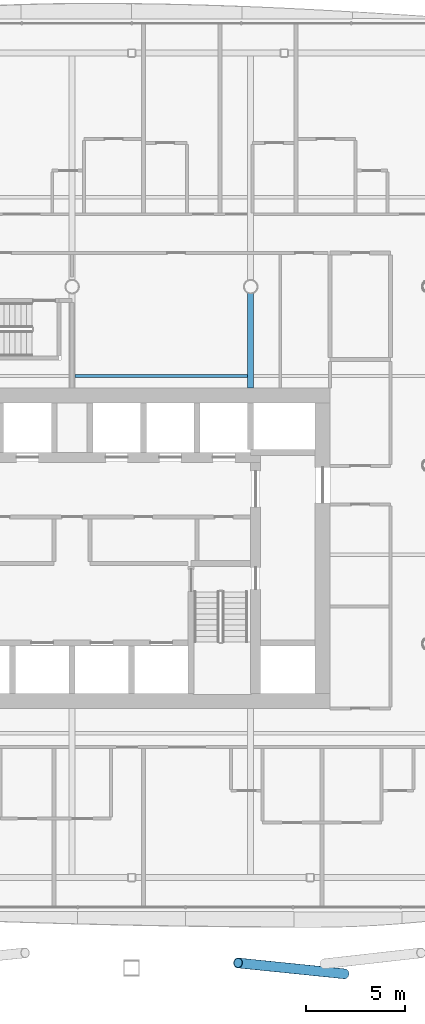
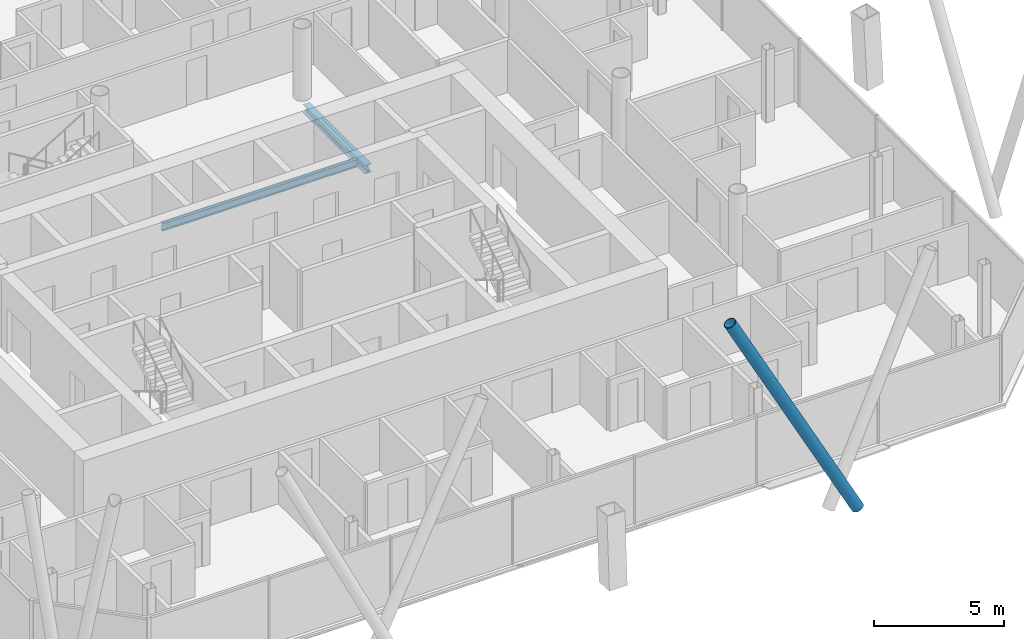
# One storey, part 6 of 23: 2 beams, 1 member.
"""IFC4 building model written with IfcOpenShell, lengths in metres."""

from ifc_helpers import new_model, si_unit, direction, frame, origin, origin_2d, place, context, subcontext, project, spatial, hollow_circle, i_section, extrude, material, material_profile, profile_set, type_object, element, save


model = new_model("IFC4")

# Units and contexts
model_context = context("Model", 3, precision=1e-05, world=origin(), true_north=direction((0.0, 1.0)))
body_context = subcontext(model_context, "Body", "Model", "MODEL_VIEW")
ifc_project = project(units=[si_unit("LENGTHUNIT", "METRE"), si_unit("AREAUNIT", "SQUARE_METRE"), si_unit("VOLUMEUNIT", "CUBIC_METRE"), si_unit("PLANEANGLEUNIT", "RADIAN"), si_unit("MASSUNIT", "GRAM", prefix="KILO")], contexts=[model_context])

# Site, building, storey
site_placement = place(None, origin())
site = spatial("IfcSite", under=ifc_project, at=site_placement, CompositionType="ELEMENT")
building_placement = place(site_placement, origin())
building = spatial("IfcBuilding", under=site, at=building_placement, Name="Tskaro Facet Tower", CompositionType="ELEMENT")
storey_placement = place(building_placement, frame((0.0, 0.0, 141.89990234375)))
storey = spatial("IfcBuildingStorey", under=building, at=storey_placement, Name="L34", CompositionType="ELEMENT", Elevation=141.89990234375)

# Member
ifc_material_1 = material(Name="Steel S355J2H", Category="steel")
ifc_material_profile_1 = material_profile(ifc_material_1, hollow_circle(Radius=0.25390625, WallThickness=0.02490234375, at=origin_2d()), Name="CHS 508x25")
ifc_profile_set_1 = profile_set([ifc_material_profile_1], Name="Steel S355J2H")
member_type = type_object("IfcMemberType", Name="CHS 508x25 brace", PredefinedType="BRACE", material=ifc_profile_set_1)
member_placement = place(storey_placement, frame((13.7255859375, -25.62548828125, 0.0), z_axis=(-0.464831990617, 0.047486250885, 0.884124581988), x_axis=(-0.10162894515, -0.994822374853, 0.0)))
element("IfcMember", 1, at=member_placement, inside=storey, type_object=member_type, Name="CHS 508x25 XB02B/3", PredefinedType="BRACE", context=body_context, shape_type="SweptSolid", body=[
    extrude(hollow_circle(Radius=0.25390625, WallThickness=0.02490234375, at=origin_2d()), origin(), (0.0, 0.0, 1.0), 11.537109375),
])

# Beams
ifc_material_2 = material(Name="Steel S355J2", Category="steel")
ifc_material_profile_2 = material_profile(ifc_material_2, i_section(OverallWidth=0.300048828125, OverallDepth=0.389892578125, WebThickness=0.010986328125, FlangeThickness=0.01904296875, FilletRadius=0.027099609375, at=origin_2d()), Name="HE 400 A")
ifc_profile_set_2 = profile_set([ifc_material_profile_2], Name="Steel S355J2")
beam_type_1 = type_object("IfcBeamType", Name="HE 400 A girder", PredefinedType="BEAM", material=ifc_profile_set_2)
beam_1_placement = place(storey_placement, frame((9.0, 3.89990234375, -0.3349609375), z_axis=(0.0, 1.0, 0.0), x_axis=(-1.0, 0.0, 0.0)))
element("IfcBeam", 2, at=beam_1_placement, inside=storey, type_object=beam_type_1, Name="HE 400 A GB5-2-3", PredefinedType="BEAM", context=body_context, shape_type="SweptSolid", body=[
    extrude(i_section(OverallWidth=0.300048828125, OverallDepth=0.389892578125, WebThickness=0.010986328125, FlangeThickness=0.01904296875, FilletRadius=0.027099609375, at=origin_2d()), origin(), (0.0, 0.0, 1.0), 4.774658203125),
])
ifc_material_profile_3 = material_profile(ifc_material_2, i_section(OverallWidth=0.169921875, OverallDepth=0.360107421875, WebThickness=0.008056640625, FlangeThickness=0.0126953125, FilletRadius=0.01806640625, at=origin_2d()), Name="IPE 360")
ifc_profile_set_3 = profile_set([ifc_material_profile_3], Name="Steel S355J2")
beam_type_2 = type_object("IfcBeamType", Name="IPE 360 secondary beam", PredefinedType="BEAM", material=ifc_profile_set_3)
beam_2_placement = place(storey_placement, frame((0.14990234375, 4.5, -0.31982421875), z_axis=(1.0, 0.0, 0.0), x_axis=(0.0, 1.0, 0.0)))
element("IfcBeam", 3, at=beam_2_placement, inside=storey, type_object=beam_type_2, Name="IPE 360 SB4a-3-3", PredefinedType="BEAM", context=body_context, shape_type="SweptSolid", body=[
    extrude(i_section(OverallWidth=0.169921875, OverallDepth=0.360107421875, WebThickness=0.008056640625, FlangeThickness=0.0126953125, FilletRadius=0.01806640625, at=origin_2d()), origin(), (0.0, 0.0, 1.0), 8.7001953125),
])

save(model, "model.ifc")
